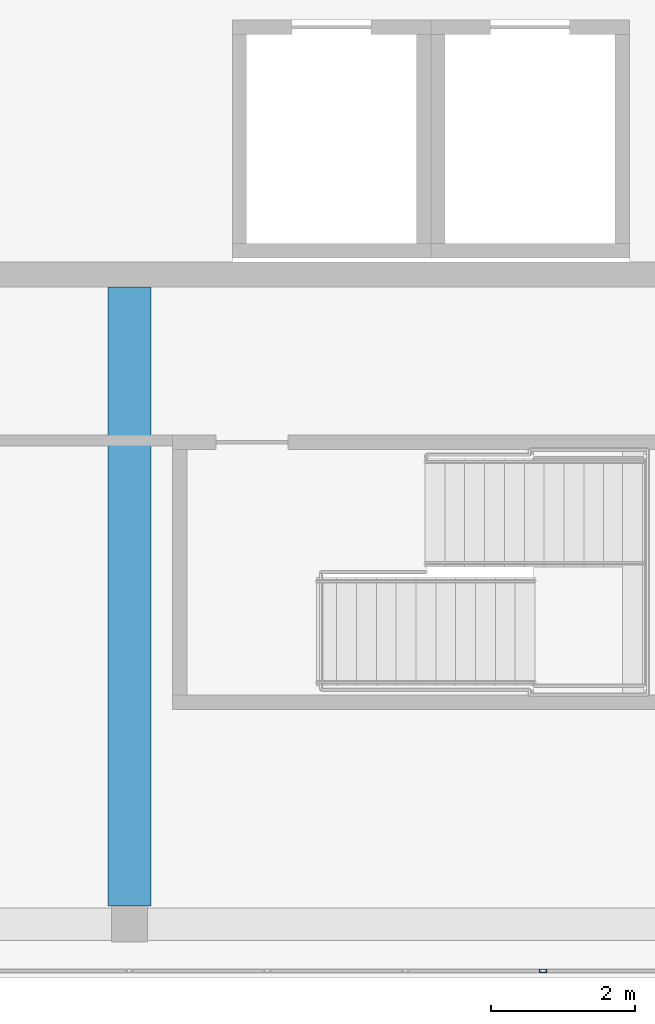
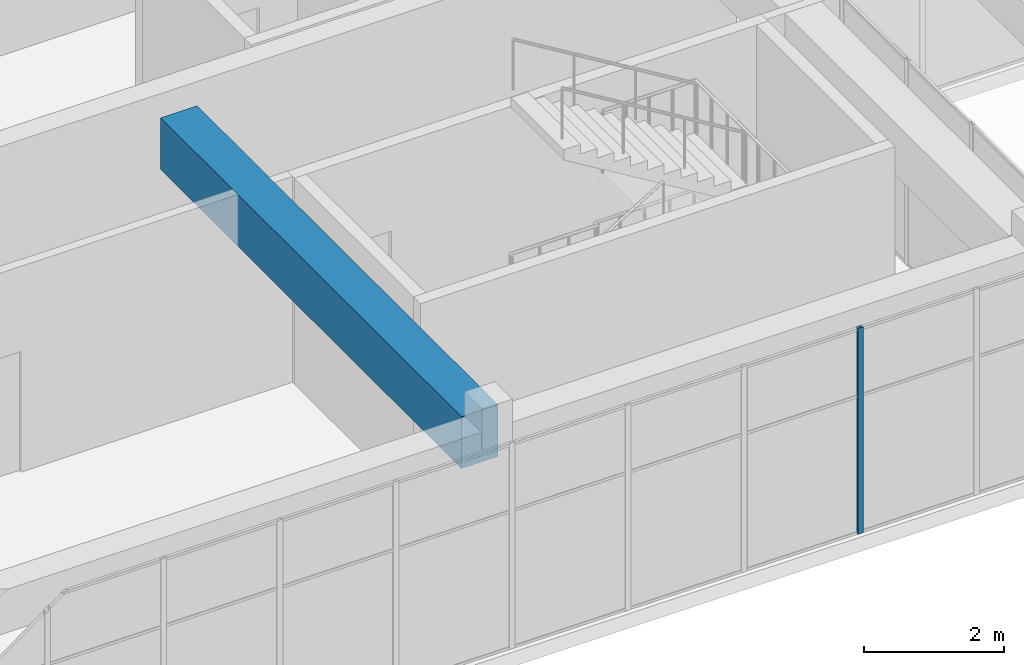
# One storey, part 8 of 36: 1 beam, 1 member, 1 element without a shape of its own.
"""IFC4 building model written with IfcOpenShell, lengths in metres."""

import ifcopenshell
import ifcopenshell.guid

model = None  # the IFC model being written
_history = None  # IfcOwnerHistory: only IFC2X3 demands one
_inside = {}  # id of a spatial element -> (the spatial element, [elements in it])
_under = {}  # id of a project, library or spatial element -> (it, [spatial elements below it])
_declared = {}  # id of a project -> (the project, [libraries it declares])
_typed = {}  # id of a type object -> (the type object, [elements of that type])
_made_of = {}  # id of a material, layer set ... -> (it, [elements and type objects made of it])


def new_model(schema):
    """Start an empty IFC model of exactly this schema.

    Asked for "IFC4X3", IfcOpenShell would pick the latest addendum, in which some entities
    have other attributes; the version numbers below select the first issue.
    IFC2X3 requires an IfcOwnerHistory on every rooted entity: one is made here for all.
    """
    global model, _history
    if schema == "IFC4X3":
        model = ifcopenshell.file(schema_version=(4, 3, 0, 0))
    else:
        model = ifcopenshell.file(schema=schema)
    _inside.clear()
    _under.clear()
    _declared.clear()
    _typed.clear()
    _made_of.clear()
    _history = None
    if model.schema == "IFC2X3":
        org = make("IfcOrganization", Name="unknown")
        user = make(
            "IfcPersonAndOrganization",
            ThePerson=make("IfcPerson", FamilyName="unknown"),
            TheOrganization=org,
        )
        app = make(
            "IfcApplication",
            ApplicationDeveloper=org,
            Version="unknown",
            ApplicationFullName="unknown",
            ApplicationIdentifier="unknown",
        )
        _history = make(
            "IfcOwnerHistory",
            OwningUser=user,
            OwningApplication=app,
            ChangeAction="ADDED",
            CreationDate=0,
        )
    return model


def make(cls, **values):
    """One entity of the class cls with the attributes given. An attribute that is None is left unset."""
    return model.create_entity(
        cls, **{name: value for name, value in values.items() if value is not None}
    )


def rooted(cls, **values):
    """An entity with a GlobalId (a new one), such as an element, a storey or a relation."""
    return make(cls, GlobalId=ifcopenshell.guid.new(), OwnerHistory=_history, **values)


def si_unit(unit_type, name, prefix=None):
    """IfcSIUnit, for example si_unit("LENGTHUNIT", "METRE", prefix="MILLI")."""
    return make("IfcSIUnit", UnitType=unit_type, Prefix=prefix, Name=name)


def assignment(units):
    """IfcUnitAssignment: the units of a project."""
    return None if units is None else make("IfcUnitAssignment", Units=units)


def point(xyz):
    """IfcCartesianPoint."""
    return None if xyz is None else make("IfcCartesianPoint", Coordinates=xyz)


def direction(xyz):
    """IfcDirection."""
    return None if xyz is None else make("IfcDirection", DirectionRatios=xyz)


def frame(location, z_axis=None, x_axis=None):
    """IfcAxis2Placement3D, a coordinate frame: its origin and axes. An axis left out is left unset."""
    return make(
        "IfcAxis2Placement3D",
        Location=point(location),
        Axis=direction(z_axis),
        RefDirection=direction(x_axis),
    )


def frame_2d(location, x_axis=None):
    """IfcAxis2Placement2D, a coordinate frame in the plane: its origin and x axis."""
    return make(
        "IfcAxis2Placement2D", Location=point(location), RefDirection=direction(x_axis)
    )


def origin():
    """The frame at (0, 0, 0) with its axes left unset."""
    return frame((0.0, 0.0, 0.0))


def origin_2d():
    """The frame at (0, 0) in the plane with its x axis left unset."""
    return frame_2d((0.0, 0.0))


def place(relative_to, where):
    """IfcLocalPlacement: puts the frame where relative to a parent placement (None: the world)."""
    return make(
        "IfcLocalPlacement", PlacementRelTo=relative_to, RelativePlacement=where
    )


def context(
    kind, dimensions, precision=None, world=None, true_north=None, identifier=None
):
    """IfcGeometricRepresentationContext, for example the 3D "Model" context."""
    return make(
        "IfcGeometricRepresentationContext",
        ContextIdentifier=identifier,
        ContextType=kind,
        CoordinateSpaceDimension=dimensions,
        Precision=precision,
        WorldCoordinateSystem=world,
        TrueNorth=true_north,
    )


def subcontext(parent, identifier, kind, view, scale=None):
    """IfcGeometricRepresentationSubContext, for example "Body" below "Model"."""
    return make(
        "IfcGeometricRepresentationSubContext",
        ContextIdentifier=identifier,
        ContextType=kind,
        ParentContext=parent,
        TargetScale=scale,
        TargetView=view,
    )


def project(units=None, contexts=None):
    """IfcProject with its units and contexts."""
    return rooted(
        "IfcProject",
        Name="project",
        RepresentationContexts=contexts,
        UnitsInContext=assignment(units),
    )


def spatial(cls, under=None, at=None, **own):
    """A site, building, storey or space (cls), placed at a placement, below another one or the project."""
    s = rooted(cls, ObjectPlacement=at, **own)
    if under is not None:
        _under.setdefault(under.id(), (under, []))[1].append(s)
    return s


def profile(cls, at=None, kind="AREA", **sizes):
    """A parametric profile (cls). Its sizes go by their IFC names, for example OverallWidth=200.0."""
    return make(cls, ProfileType=kind, Position=at, **sizes)


def rectangle(**sizes):
    """IfcRectangleProfileDef."""
    return profile("IfcRectangleProfileDef", **sizes)


def hollow_rectangle(**sizes):
    """IfcRectangleHollowProfileDef."""
    return profile("IfcRectangleHollowProfileDef", **sizes)


def extrude(swept, where, along, depth):
    """IfcExtrudedAreaSolid: the profile swept, set in the frame where, extruded along a direction by depth."""
    return make(
        "IfcExtrudedAreaSolid",
        SweptArea=swept,
        Position=where,
        ExtrudedDirection=direction(along),
        Depth=depth,
    )


def shape(context_of_items, identifier, shape_type, items):
    """IfcShapeRepresentation: the items that make up one representation, for example the "Body"."""
    return make(
        "IfcShapeRepresentation",
        ContextOfItems=context_of_items,
        RepresentationIdentifier=identifier,
        RepresentationType=shape_type,
        Items=items,
    )


def material(Name=None, Category=None):
    """IfcMaterial."""
    return make("IfcMaterial", Name=Name, Category=Category)


def layer(
    of_material, thickness, ventilated=None, Name=None, Category=None, Priority=None
):
    """IfcMaterialLayer: one layer of a wall or slab, of a material (None: an air gap)."""
    return make(
        "IfcMaterialLayer",
        Material=of_material,
        LayerThickness=thickness,
        IsVentilated=ventilated,
        Name=Name,
        Category=Category,
        Priority=Priority,
    )


def layer_set(layers, Name=None):
    """IfcMaterialLayerSet."""
    return make("IfcMaterialLayerSet", MaterialLayers=layers, LayerSetName=Name)


def material_profile(
    of_material, cross_section, Name=None, Category=None, Priority=None
):
    """IfcMaterialProfile: a cross section and its material."""
    return make(
        "IfcMaterialProfile",
        Name=Name,
        Material=of_material,
        Profile=cross_section,
        Priority=Priority,
        Category=Category,
    )


def profile_set(profiles, Name=None, composite=None):
    """IfcMaterialProfileSet."""
    return make(
        "IfcMaterialProfileSet",
        Name=Name,
        MaterialProfiles=profiles,
        CompositeProfile=composite,
    )


def made_of(thing, what):
    """Note that an element or type object is made of a material, layer set ...; save() writes the relation."""
    if what is not None:
        _made_of.setdefault(what.id(), (what, []))[1].append(thing)
    return thing


def type_object(cls, material=None, **own):
    """A type object (cls), such as IfcWallType, which elements share."""
    return made_of(rooted(cls, **own), material)


def element(
    cls,
    number,
    at=None,
    inside=None,
    cuts=None,
    type_object=None,
    material=None,
    context=None,
    identifier="Body",
    shape_type=None,
    held_by="IfcProductDefinitionShape",
    body=None,
    shapes=None,
    **own,
):
    """One element of the class cls, such as IfcWall. Its Tag is "e" and its number.

    at: its placement. inside: the storey or other place that contains it. cuts: it is an
    opening in that element (IfcRelVoidsElement). A single representation is given by context,
    identifier, shape_type and body (its items); several are given by shapes. held_by: the class
    of the entity that holds the representations. save() writes the other relations.
    """
    e = rooted(cls, Tag="e%d" % number, ObjectPlacement=at, **own)
    if body is not None:
        shapes = [shape(context, identifier, shape_type, body)]
    if shapes is not None:
        e.Representation = make(held_by, Representations=shapes)
    if inside is not None:
        _inside.setdefault(inside.id(), (inside, []))[1].append(e)
    if cuts is not None:
        rooted(
            "IfcRelVoidsElement", RelatingBuildingElement=cuts, RelatedOpeningElement=e
        )
    if type_object is not None:
        _typed.setdefault(type_object.id(), (type_object, []))[1].append(e)
    return made_of(e, material)


def aggregate(whole, parts):
    """IfcRelAggregates: a whole, such as a stair, and the parts it consists of."""
    return rooted("IfcRelAggregates", RelatingObject=whole, RelatedObjects=parts)


def save(model, path):
    """Write the relations noted so far, then the file.

    IfcRelAggregates (storeys below a building ...), IfcRelContainedInSpatialStructure (elements
    in a storey), IfcRelDefinesByType, IfcRelAssociatesMaterial and IfcRelDeclares: one each for
    every whole, place, type object, material and project.
    """
    for whole, parts in _under.values():
        aggregate(whole, parts)
    for where, things in _inside.values():
        rooted(
            "IfcRelContainedInSpatialStructure",
            RelatedElements=things,
            RelatingStructure=where,
        )
    for kind, things in _typed.values():
        rooted("IfcRelDefinesByType", RelatedObjects=things, RelatingType=kind)
    for what, things in _made_of.values():
        rooted("IfcRelAssociatesMaterial", RelatedObjects=things, RelatingMaterial=what)
    for by, libraries in _declared.values():
        rooted("IfcRelDeclares", RelatingContext=by, RelatedDefinitions=libraries)
    model.write(path)


model = new_model("IFC4")

# Units and contexts
model_context = context("Model", 3, precision=1e-05, world=origin(), true_north=direction((0.0, 1.0)))
body_context = subcontext(model_context, "Body", "Model", "MODEL_VIEW")
ifc_project = project(units=[si_unit("LENGTHUNIT", "METRE"), si_unit("AREAUNIT", "SQUARE_METRE"), si_unit("VOLUMEUNIT", "CUBIC_METRE"), si_unit("PLANEANGLEUNIT", "RADIAN"), si_unit("MASSUNIT", "GRAM", prefix="KILO")], contexts=[model_context])

# Site, building, storey
site_placement = place(None, origin())
site = spatial("IfcSite", under=ifc_project, at=site_placement, CompositionType="ELEMENT")
building_placement = place(site_placement, origin())
building = spatial("IfcBuilding", under=site, at=building_placement, Name="Tuart Plaza Theatre", CompositionType="ELEMENT")
storey_placement = place(building_placement, frame((0.0, 0.0, 61.5)))
storey = spatial("IfcBuildingStorey", under=building, at=storey_placement, Name="L15", CompositionType="ELEMENT", Elevation=61.5)

# Beam
ifc_material_1 = material(Name="Concrete N40 (40 MPa)", Category="concrete")
ifc_material_profile_1 = material_profile(ifc_material_1, rectangle(XDim=0.60009765625, YDim=0.89990234375, at=origin_2d()), Name="BEAM 600x900 Concrete N40 (40 MPa)")
ifc_profile_set_1 = profile_set([ifc_material_profile_1], Name="Concrete N40 (40 MPa)")
beam_type = type_object("IfcBeamType", Name="BEAM 600x900 Concrete N40 (40 MPa)", PredefinedType="BEAM", material=ifc_profile_set_1)
beam_placement = place(storey_placement, frame((132.0, 56.25, 3.1298828125), z_axis=(0.0, 1.0, 0.0), x_axis=(-1.0, 0.0, 0.0)))
element("IfcBeam", 1, at=beam_placement, inside=storey, type_object=beam_type, Name="RB333", PredefinedType="BEAM", context=body_context, shape_type="SweptSolid", body=[
    extrude(rectangle(XDim=0.60009765625, YDim=0.89990234375, at=origin_2d()), origin(), (0.0, 0.0, 1.0), 8.574951171875),
])

# Curtain wall, member
ifc_material_2 = material(Name="Aluminium and glass", Category="aluminium")
ifc_layer = layer(ifc_material_2, 0.10009765625)
ifc_layer_set = layer_set([ifc_layer], Name="CURTAIN WALL 2000 module")
curtain_wall_type = type_object("IfcCurtainWallType", Name="CURTAIN WALL 2000 module", PredefinedType="NOTDEFINED", material=ifc_layer_set)
curtain_wall_placement = place(storey_placement, origin())
curtain_wall = element("IfcCurtainWall", 2, at=curtain_wall_placement, inside=storey, type_object=curtain_wall_type, Name="CW122", PredefinedType="NOTDEFINED")
ifc_material_3 = material(Name="Aluminium 6063-T5", Category="aluminium")
ifc_material_profile_2 = material_profile(ifc_material_3, hollow_rectangle(XDim=0.050048828125, YDim=0.10009765625, WallThickness=0.00390625, InnerFilletRadius=0.00390625, OuterFilletRadius=0.008056640625, at=origin_2d()), Name="RHS 100x50x4")
ifc_profile_set_2 = profile_set([ifc_material_profile_2], Name="Aluminium 6063-T5")
member_type = type_object("IfcMemberType", Name="MULLION RHS 100x50x4", PredefinedType="MULLION", material=ifc_profile_set_2)
member_placement = place(storey_placement, frame((137.72998046875, 55.35009765625, 0.0), z_axis=(0.0, 0.0, 1.0), x_axis=(0.0, 1.0, 0.0)))
member = element("IfcMember", 3, at=member_placement, type_object=member_type, Name="CW122 mullion 9", PredefinedType="MULLION", context=body_context, shape_type="SweptSolid", body=[
    extrude(hollow_rectangle(XDim=0.050048828125, YDim=0.10009765625, WallThickness=0.00390625, InnerFilletRadius=0.00390625, OuterFilletRadius=0.008056640625, at=origin_2d()), origin(), (0.0, 0.0, 1.0), 3.580078125),
])
aggregate(curtain_wall, [member])

save(model, "model.ifc")
